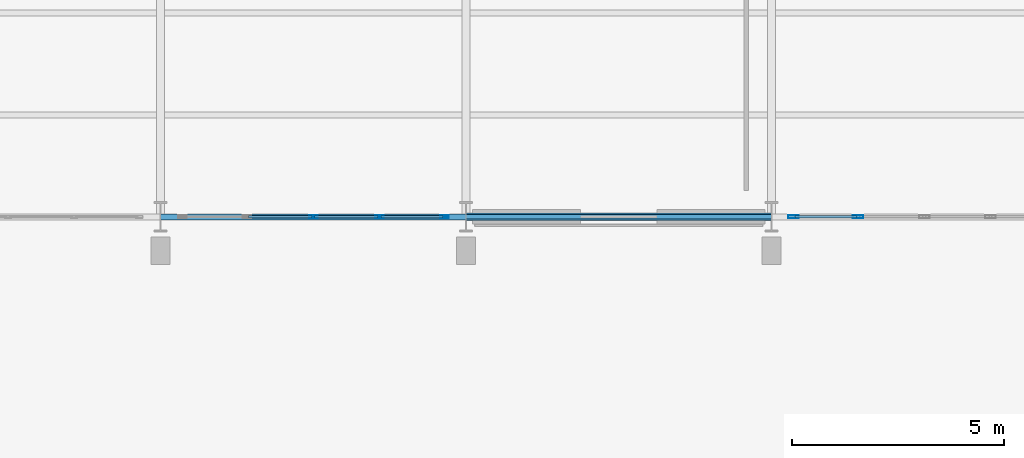
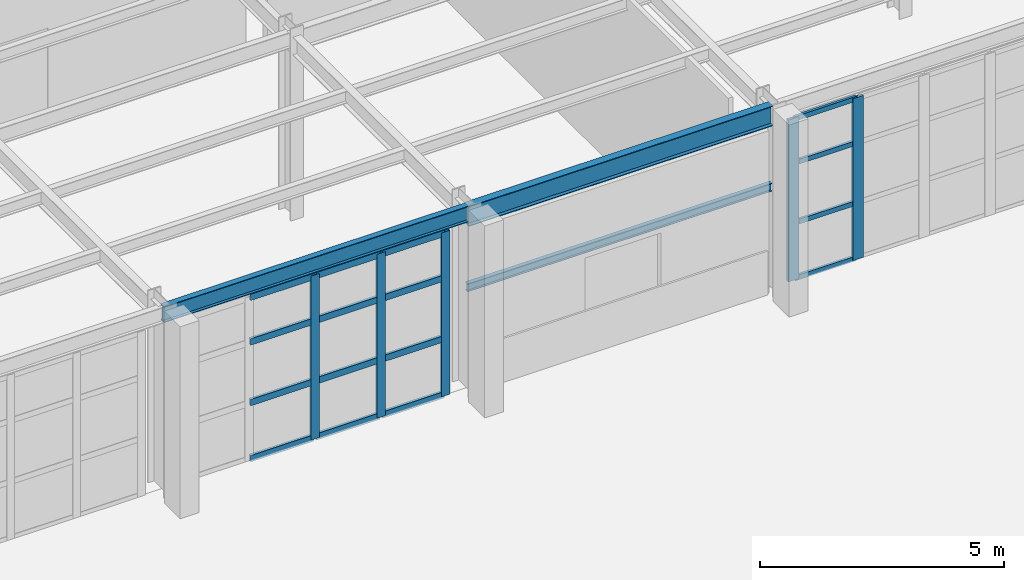
# One storey, part 29 of 83: 21 members, 3 beams, 2 elements without a shape of their own.
"""IFC4 building model written with IfcOpenShell, lengths in metres."""

from ifc_helpers import new_model, si_unit, direction, frame, origin, origin_2d, place, context, subcontext, project, spatial, hollow_rectangle, i_section, extrude, material, layer, layer_set, material_profile, profile_set, type_object, element, aggregate, save


model = new_model("IFC4")

# Units and contexts
model_context = context("Model", 3, precision=1e-05, world=origin(), true_north=direction((0.0, 1.0)))
body_context = subcontext(model_context, "Body", "Model", "MODEL_VIEW")
ifc_project = project(units=[si_unit("LENGTHUNIT", "METRE"), si_unit("AREAUNIT", "SQUARE_METRE"), si_unit("VOLUMEUNIT", "CUBIC_METRE"), si_unit("PLANEANGLEUNIT", "RADIAN"), si_unit("MASSUNIT", "GRAM", prefix="KILO")], contexts=[model_context])

# Site, building, storey
site_placement = place(None, origin())
site = spatial("IfcSite", under=ifc_project, at=site_placement, CompositionType="ELEMENT")
building_placement = place(site_placement, origin())
building = spatial("IfcBuilding", under=site, at=building_placement, Name="Solvadek Multi-Sports Hall", CompositionType="ELEMENT")
storey_placement = place(building_placement, origin())
storey = spatial("IfcBuildingStorey", under=building, at=storey_placement, Name="L00", CompositionType="ELEMENT", Elevation=0.0)

# Curtain wall, members
ifc_material_1 = material(Name="Anodised aluminium", Category="aluminium")
ifc_layer_1 = layer(ifc_material_1, 0.159912109375, Name="Anodised aluminium")
ifc_layer_set_1 = layer_set([ifc_layer_1], Name="Anodised aluminium")
curtain_wall_type_1 = type_object("IfcCurtainWallType", Name="ENV-CW-624X410", PredefinedType="USERDEFINED", material=ifc_layer_set_1)
curtain_wall_1_placement = place(storey_placement, origin())
curtain_wall_1 = element("IfcCurtainWall", 1, at=curtain_wall_1_placement, inside=storey, type_object=curtain_wall_type_1, Name="L00 Perimeter Bay Curtain Wall #161", ObjectType="CURTAIN WALL", PredefinedType="USERDEFINED")
ifc_material_profile_1 = material_profile(ifc_material_1, hollow_rectangle(XDim=0.06494140625, YDim=0.199951171875, WallThickness=0.0048828125, at=origin_2d()), Name="ALU-M 200x65x5")
ifc_profile_set_1 = profile_set([ifc_material_profile_1], Name="Anodised aluminium")
member_type_1 = type_object("IfcMemberType", Name="ENV-CWM-03", PredefinedType="MULLION", material=ifc_profile_set_1)
member_1_placement = place(storey_placement, frame((32.39990234375, 49.199951171875, 0.0), z_axis=(0.0, 0.0, 1.0), x_axis=(0.0, 1.0, 0.0)))
member_1 = element("IfcMember", 2, at=member_1_placement, type_object=member_type_1, Name="CW-39 mullion 3", PredefinedType="MULLION", context=body_context, shape_type="SweptSolid", body=[
    extrude(hollow_rectangle(XDim=0.06494140625, YDim=0.199951171875, WallThickness=0.0048828125, at=origin_2d()), origin(), (0.0, 0.0, 1.0), 4.10009765625),
])
member_2_placement = place(storey_placement, frame((33.9599609375, 49.199951171875, 0.0), z_axis=(0.0, 0.0, 1.0), x_axis=(0.0, 1.0, 0.0)))
member_2 = element("IfcMember", 3, at=member_2_placement, type_object=member_type_1, Name="CW-39 mullion 4", PredefinedType="MULLION", context=body_context, shape_type="SweptSolid", body=[
    extrude(hollow_rectangle(XDim=0.06494140625, YDim=0.199951171875, WallThickness=0.0048828125, at=origin_2d()), origin(), (0.0, 0.0, 1.0), 4.10009765625),
])
member_3_placement = place(storey_placement, frame((35.487548828125, 49.199951171875, 0.0), z_axis=(0.0, 0.0, 1.0), x_axis=(0.0, 1.0, 0.0)))
member_3 = element("IfcMember", 4, at=member_3_placement, type_object=member_type_1, Name="CW-39 mullion 5", PredefinedType="MULLION", context=body_context, shape_type="SweptSolid", body=[
    extrude(hollow_rectangle(XDim=0.06494140625, YDim=0.199951171875, WallThickness=0.0048828125, at=origin_2d()), origin(), (0.0, 0.0, 1.0), 4.10009765625),
])

ifc_layer_2 = layer(ifc_material_1, 0.159912109375, Name="Anodised aluminium")
ifc_layer_set_2 = layer_set([ifc_layer_2], Name="Anodised aluminium")
curtain_wall_type_2 = type_object("IfcCurtainWallType", Name="ENV-CW-624X405", PredefinedType="USERDEFINED", material=ifc_layer_set_2)
curtain_wall_2_placement = place(storey_placement, origin())
curtain_wall_2 = element("IfcCurtainWall", 5, at=curtain_wall_2_placement, inside=storey, type_object=curtain_wall_type_2, Name="L00 Perimeter Bay Curtain Wall #171", ObjectType="CURTAIN WALL", PredefinedType="USERDEFINED")
ifc_material_profile_2 = material_profile(ifc_material_1, hollow_rectangle(XDim=0.070068359375, YDim=0.25, WallThickness=0.0048828125, at=origin_2d()), Name="ALU-M 250x70x5")
ifc_profile_set_2 = profile_set([ifc_material_profile_2], Name="Anodised aluminium")
member_type_2 = type_object("IfcMemberType", Name="ENV-CWM-05", PredefinedType="MULLION", material=ifc_profile_set_2)
member_4_placement = place(storey_placement, frame((43.715087890625, 49.199951171875, 0.0), z_axis=(0.0, 0.0, 1.0), x_axis=(0.0, 1.0, 0.0)))
member_4 = element("IfcMember", 6, at=member_4_placement, type_object=member_type_2, Name="CW-52 mullion 1", PredefinedType="MULLION", context=body_context, shape_type="SweptSolid", body=[
    extrude(hollow_rectangle(XDim=0.070068359375, YDim=0.25, WallThickness=0.0048828125, at=origin_2d()), origin(), (0.0, 0.0, 1.0), 4.050048828125),
])
member_5_placement = place(storey_placement, frame((45.239990234375, 49.199951171875, 0.0), z_axis=(0.0, 0.0, 1.0), x_axis=(0.0, 1.0, 0.0)))
member_5 = element("IfcMember", 7, at=member_5_placement, type_object=member_type_2, Name="CW-52 mullion 2", PredefinedType="MULLION", context=body_context, shape_type="SweptSolid", body=[
    extrude(hollow_rectangle(XDim=0.070068359375, YDim=0.25, WallThickness=0.0048828125, at=origin_2d()), origin(), (0.0, 0.0, 1.0), 4.050048828125),
])
ifc_material_profile_3 = material_profile(ifc_material_1, hollow_rectangle(XDim=0.06005859375, YDim=0.1201171875, WallThickness=0.00390625, at=origin_2d()), Name="ALU-T 120x60x4")
ifc_profile_set_3 = profile_set([ifc_material_profile_3], Name="Anodised aluminium")
member_type_3 = type_object("IfcMemberType", Name="ENV-CWT-01", PredefinedType="USERDEFINED", material=ifc_profile_set_3)
member_6_placement = place(storey_placement, frame((43.75, 49.199951171875, 0.030029296875), z_axis=(1.0, 0.0, 0.0), x_axis=(0.0, 1.0, 0.0)))
member_6 = element("IfcMember", 8, at=member_6_placement, type_object=member_type_3, Name="CW-52 transom 1.1", ObjectType="TRANSOM", PredefinedType="USERDEFINED", context=body_context, shape_type="SweptSolid", body=[
    extrude(hollow_rectangle(XDim=0.06005859375, YDim=0.1201171875, WallThickness=0.00390625, at=origin_2d()), origin(), (0.0, 0.0, 1.0), 1.455078125),
])
member_7_placement = place(storey_placement, frame((43.75, 49.199951171875, 1.4169921875), z_axis=(1.0, 0.0, 0.0), x_axis=(0.0, 1.0, 0.0)))
member_7 = element("IfcMember", 9, at=member_7_placement, type_object=member_type_3, Name="CW-52 transom 1.2", ObjectType="TRANSOM", PredefinedType="USERDEFINED", context=body_context, shape_type="SweptSolid", body=[
    extrude(hollow_rectangle(XDim=0.06005859375, YDim=0.1201171875, WallThickness=0.00390625, at=origin_2d()), origin(), (0.0, 0.0, 1.0), 1.455078125),
])
member_8_placement = place(storey_placement, frame((43.75, 49.199951171875, 2.916015625), z_axis=(1.0, 0.0, 0.0), x_axis=(0.0, 1.0, 0.0)))
member_8 = element("IfcMember", 10, at=member_8_placement, type_object=member_type_3, Name="CW-52 transom 1.3", ObjectType="TRANSOM", PredefinedType="USERDEFINED", context=body_context, shape_type="SweptSolid", body=[
    extrude(hollow_rectangle(XDim=0.06005859375, YDim=0.1201171875, WallThickness=0.00390625, at=origin_2d()), origin(), (0.0, 0.0, 1.0), 1.455078125),
])
member_9_placement = place(storey_placement, frame((43.75, 49.199951171875, 4.02001953125), z_axis=(1.0, 0.0, 0.0), x_axis=(0.0, 1.0, 0.0)))
member_9 = element("IfcMember", 11, at=member_9_placement, type_object=member_type_3, Name="CW-52 transom 1.4", ObjectType="TRANSOM", PredefinedType="USERDEFINED", context=body_context, shape_type="SweptSolid", body=[
    extrude(hollow_rectangle(XDim=0.06005859375, YDim=0.1201171875, WallThickness=0.00390625, at=origin_2d()), origin(), (0.0, 0.0, 1.0), 1.455078125),
])
aggregate(curtain_wall_2, [member_4, member_5, member_6, member_7, member_8, member_9])

# Member
ifc_material_profile_4 = material_profile(ifc_material_1, hollow_rectangle(XDim=0.06494140625, YDim=0.159912109375, WallThickness=0.00390625, at=origin_2d()), Name="ALU-T 160x65x4")
ifc_profile_set_4 = profile_set([ifc_material_profile_4], Name="Anodised aluminium")
member_type_4 = type_object("IfcMemberType", Name="ENV-CWT-03", PredefinedType="USERDEFINED", material=ifc_profile_set_4)
member_10_placement = place(storey_placement, frame((30.87255859375, 49.199951171875, 0.032470703125), z_axis=(1.0, 0.0, 0.0), x_axis=(0.0, 1.0, 0.0)))
member_10 = element("IfcMember", 12, at=member_10_placement, type_object=member_type_4, Name="CW-39 transom 2.1", ObjectType="TRANSOM", PredefinedType="USERDEFINED", context=body_context, shape_type="SweptSolid", body=[
    extrude(hollow_rectangle(XDim=0.06494140625, YDim=0.159912109375, WallThickness=0.00390625, at=origin_2d()), origin(), (0.0, 0.0, 1.0), 1.494873046875),
])

member_11_placement = place(storey_placement, frame((30.87255859375, 49.199951171875, 1.43505859375), z_axis=(1.0, 0.0, 0.0), x_axis=(0.0, 1.0, 0.0)))
member_11 = element("IfcMember", 13, at=member_11_placement, type_object=member_type_4, Name="CW-39 transom 2.2", ObjectType="TRANSOM", PredefinedType="USERDEFINED", context=body_context, shape_type="SweptSolid", body=[
    extrude(hollow_rectangle(XDim=0.06494140625, YDim=0.159912109375, WallThickness=0.00390625, at=origin_2d()), origin(), (0.0, 0.0, 1.0), 1.494873046875),
])

member_12_placement = place(storey_placement, frame((30.87255859375, 49.199951171875, 2.951904296875), z_axis=(1.0, 0.0, 0.0), x_axis=(0.0, 1.0, 0.0)))
member_12 = element("IfcMember", 14, at=member_12_placement, type_object=member_type_4, Name="CW-39 transom 2.3", ObjectType="TRANSOM", PredefinedType="USERDEFINED", context=body_context, shape_type="SweptSolid", body=[
    extrude(hollow_rectangle(XDim=0.06494140625, YDim=0.159912109375, WallThickness=0.00390625, at=origin_2d()), origin(), (0.0, 0.0, 1.0), 1.494873046875),
])

member_13_placement = place(storey_placement, frame((30.87255859375, 49.199951171875, 4.0673828125), z_axis=(1.0, 0.0, 0.0), x_axis=(0.0, 1.0, 0.0)))
member_13 = element("IfcMember", 15, at=member_13_placement, type_object=member_type_4, Name="CW-39 transom 2.4", ObjectType="TRANSOM", PredefinedType="USERDEFINED", context=body_context, shape_type="SweptSolid", body=[
    extrude(hollow_rectangle(XDim=0.06494140625, YDim=0.159912109375, WallThickness=0.00390625, at=origin_2d()), origin(), (0.0, 0.0, 1.0), 1.494873046875),
])

member_14_placement = place(storey_placement, frame((32.4326171875, 49.199951171875, 0.032470703125), z_axis=(1.0, 0.0, 0.0), x_axis=(0.0, 1.0, 0.0)))
member_14 = element("IfcMember", 16, at=member_14_placement, type_object=member_type_4, Name="CW-39 transom 3.1", ObjectType="TRANSOM", PredefinedType="USERDEFINED", context=body_context, shape_type="SweptSolid", body=[
    extrude(hollow_rectangle(XDim=0.06494140625, YDim=0.159912109375, WallThickness=0.00390625, at=origin_2d()), origin(), (0.0, 0.0, 1.0), 1.494873046875),
])

member_15_placement = place(storey_placement, frame((32.4326171875, 49.199951171875, 1.43505859375), z_axis=(1.0, 0.0, 0.0), x_axis=(0.0, 1.0, 0.0)))
member_15 = element("IfcMember", 17, at=member_15_placement, type_object=member_type_4, Name="CW-39 transom 3.2", ObjectType="TRANSOM", PredefinedType="USERDEFINED", context=body_context, shape_type="SweptSolid", body=[
    extrude(hollow_rectangle(XDim=0.06494140625, YDim=0.159912109375, WallThickness=0.00390625, at=origin_2d()), origin(), (0.0, 0.0, 1.0), 1.494873046875),
])

member_16_placement = place(storey_placement, frame((32.4326171875, 49.199951171875, 2.951904296875), z_axis=(1.0, 0.0, 0.0), x_axis=(0.0, 1.0, 0.0)))
member_16 = element("IfcMember", 18, at=member_16_placement, type_object=member_type_4, Name="CW-39 transom 3.3", ObjectType="TRANSOM", PredefinedType="USERDEFINED", context=body_context, shape_type="SweptSolid", body=[
    extrude(hollow_rectangle(XDim=0.06494140625, YDim=0.159912109375, WallThickness=0.00390625, at=origin_2d()), origin(), (0.0, 0.0, 1.0), 1.494873046875),
])

member_17_placement = place(storey_placement, frame((32.4326171875, 49.199951171875, 4.0673828125), z_axis=(1.0, 0.0, 0.0), x_axis=(0.0, 1.0, 0.0)))
member_17 = element("IfcMember", 19, at=member_17_placement, type_object=member_type_4, Name="CW-39 transom 3.4", ObjectType="TRANSOM", PredefinedType="USERDEFINED", context=body_context, shape_type="SweptSolid", body=[
    extrude(hollow_rectangle(XDim=0.06494140625, YDim=0.159912109375, WallThickness=0.00390625, at=origin_2d()), origin(), (0.0, 0.0, 1.0), 1.494873046875),
])

member_18_placement = place(storey_placement, frame((33.992431640625, 49.199951171875, 0.032470703125), z_axis=(1.0, 0.0, 0.0), x_axis=(0.0, 1.0, 0.0)))
member_18 = element("IfcMember", 20, at=member_18_placement, type_object=member_type_4, Name="CW-39 transom 4.1", ObjectType="TRANSOM", PredefinedType="USERDEFINED", context=body_context, shape_type="SweptSolid", body=[
    extrude(hollow_rectangle(XDim=0.06494140625, YDim=0.159912109375, WallThickness=0.00390625, at=origin_2d()), origin(), (0.0, 0.0, 1.0), 1.462646484375),
])

member_19_placement = place(storey_placement, frame((33.992431640625, 49.199951171875, 1.43505859375), z_axis=(1.0, 0.0, 0.0), x_axis=(0.0, 1.0, 0.0)))
member_19 = element("IfcMember", 21, at=member_19_placement, type_object=member_type_4, Name="CW-39 transom 4.2", ObjectType="TRANSOM", PredefinedType="USERDEFINED", context=body_context, shape_type="SweptSolid", body=[
    extrude(hollow_rectangle(XDim=0.06494140625, YDim=0.159912109375, WallThickness=0.00390625, at=origin_2d()), origin(), (0.0, 0.0, 1.0), 1.462646484375),
])

member_20_placement = place(storey_placement, frame((33.992431640625, 49.199951171875, 2.951904296875), z_axis=(1.0, 0.0, 0.0), x_axis=(0.0, 1.0, 0.0)))
member_20 = element("IfcMember", 22, at=member_20_placement, type_object=member_type_4, Name="CW-39 transom 4.3", ObjectType="TRANSOM", PredefinedType="USERDEFINED", context=body_context, shape_type="SweptSolid", body=[
    extrude(hollow_rectangle(XDim=0.06494140625, YDim=0.159912109375, WallThickness=0.00390625, at=origin_2d()), origin(), (0.0, 0.0, 1.0), 1.462646484375),
])

member_21_placement = place(storey_placement, frame((33.992431640625, 49.199951171875, 4.0673828125), z_axis=(1.0, 0.0, 0.0), x_axis=(0.0, 1.0, 0.0)))
member_21 = element("IfcMember", 23, at=member_21_placement, type_object=member_type_4, Name="CW-39 transom 4.4", ObjectType="TRANSOM", PredefinedType="USERDEFINED", context=body_context, shape_type="SweptSolid", body=[
    extrude(hollow_rectangle(XDim=0.06494140625, YDim=0.159912109375, WallThickness=0.00390625, at=origin_2d()), origin(), (0.0, 0.0, 1.0), 1.462646484375),
])

aggregate(curtain_wall_1, [member_1, member_2, member_3, member_10, member_11, member_12, member_13, member_14, member_15, member_16, member_17, member_18, member_19, member_20, member_21])

# Beams
ifc_material_2 = material(Name="Steel E350 (350 MPa)", Category="steel")
ifc_material_profile_5 = material_profile(ifc_material_2, i_section(OverallWidth=0.139892578125, OverallDepth=0.39990234375, WebThickness=0.0087890625, FlangeThickness=0.01611328125, at=origin_2d()), Name="ISMB 400")
ifc_profile_set_5 = profile_set([ifc_material_profile_5], Name="Steel E350 (350 MPa)")
beam_type_1 = type_object("IfcBeamType", Name="STR-BM-ISMB400", PredefinedType="BEAM", material=ifc_profile_set_5)
beam_1_placement = place(storey_placement, frame((28.800048828125, 49.199951171875, 4.3798828125), z_axis=(1.0, 0.0, 0.0), x_axis=(0.0, 1.0, 0.0)))
element("IfcBeam", 24, at=beam_1_placement, inside=storey, type_object=beam_type_1, Name="L00 Girder B-10 #607", PredefinedType="BEAM", context=body_context, shape_type="SweptSolid", body=[
    extrude(i_section(OverallWidth=0.139892578125, OverallDepth=0.39990234375, WebThickness=0.0087890625, FlangeThickness=0.01611328125, at=origin_2d()), origin(), (0.0, 0.0, 1.0), 7.199951171875),
])
ifc_material_profile_6 = material_profile(ifc_material_2, i_section(OverallWidth=0.179931640625, OverallDepth=0.5, WebThickness=0.01025390625, FlangeThickness=0.01708984375, at=origin_2d()), Name="ISMB 500")
ifc_profile_set_6 = profile_set([ifc_material_profile_6], Name="Steel E350 (350 MPa)")
beam_type_2 = type_object("IfcBeamType", Name="STR-BM-ISMB500", PredefinedType="BEAM", material=ifc_profile_set_6)
beam_2_placement = place(storey_placement, frame((36.0, 49.199951171875, 4.330078125), z_axis=(1.0, 0.0, 0.0), x_axis=(0.0, 1.0, 0.0)))
element("IfcBeam", 25, at=beam_2_placement, inside=storey, type_object=beam_type_2, Name="L00 Girder B-07 #608", PredefinedType="BEAM", context=body_context, shape_type="SweptSolid", body=[
    extrude(i_section(OverallWidth=0.179931640625, OverallDepth=0.5, WebThickness=0.01025390625, FlangeThickness=0.01708984375, at=origin_2d()), origin(), (0.0, 0.0, 1.0), 7.199951171875),
])
ifc_material_3 = material(Name="Steel E250 (250 MPa)", Category="steel")
ifc_material_profile_7 = material_profile(ifc_material_3, i_section(OverallWidth=0.10009765625, OverallDepth=0.199951171875, WebThickness=0.005615234375, FlangeThickness=0.0107421875, at=origin_2d()), Name="ISMB 200")
ifc_profile_set_7 = profile_set([ifc_material_profile_7], Name="Steel E250 (250 MPa)")
beam_type_3 = type_object("IfcBeamType", Name="STR-LIN-ISMB200", PredefinedType="LINTEL", material=ifc_profile_set_7)
beam_3_placement = place(storey_placement, frame((36.0, 49.199951171875, 2.52001953125), z_axis=(1.0, 0.0, 0.0), x_axis=(0.0, 1.0, 0.0)))
element("IfcBeam", 26, at=beam_3_placement, inside=storey, type_object=beam_type_3, Name="L00 Opening Lintel #20", PredefinedType="LINTEL", context=body_context, shape_type="SweptSolid", body=[
    extrude(i_section(OverallWidth=0.10009765625, OverallDepth=0.199951171875, WebThickness=0.005615234375, FlangeThickness=0.0107421875, at=origin_2d()), origin(), (0.0, 0.0, 1.0), 7.199951171875),
])

save(model, "model.ifc")
